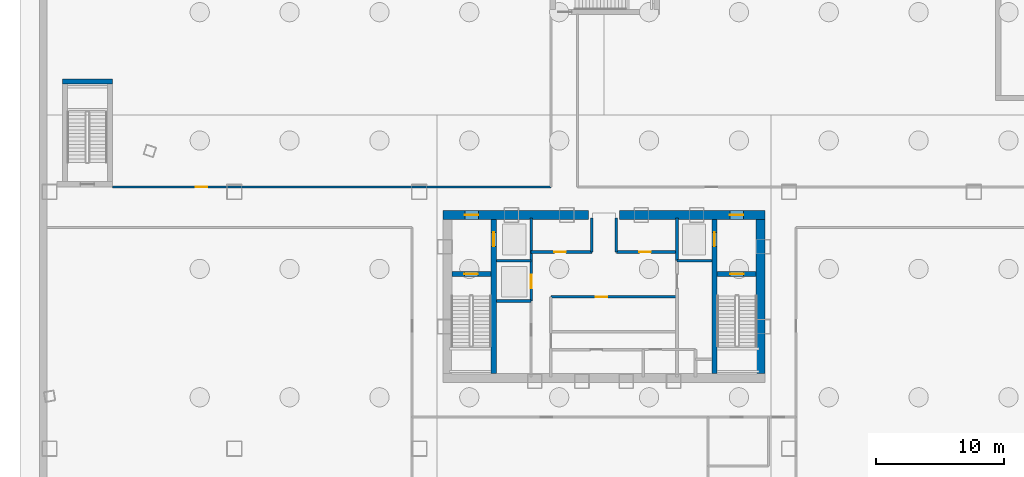
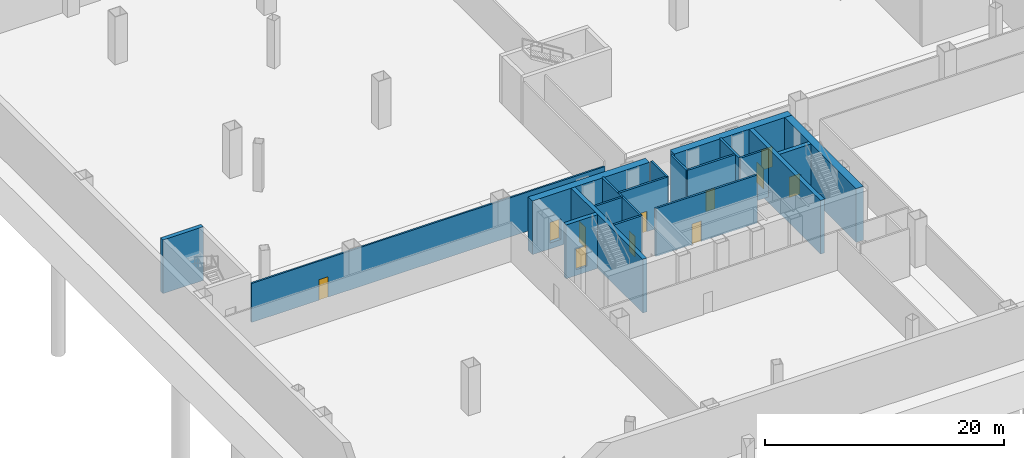
# One storey, part 9 of 15: 19 walls, 11 doors, 11 openings.
"""IFC4 building model written with IfcOpenShell, lengths in metres."""

from ifc_helpers import new_model, si_unit, direction, frame, frame_2d, origin, origin_with_axes, place, context, subcontext, project, spatial, rectangle, extrude, source, transform, mapped, material, layer, layer_set, type_object, element, fill, save


model = new_model("IFC4")

# Units and contexts
model_context = context("Model", 3, precision=1e-05, world=origin(), true_north=direction((0.0, 1.0)))
body_context = subcontext(model_context, "Body", "Model", "MODEL_VIEW")
ifc_project = project(units=[si_unit("LENGTHUNIT", "METRE"), si_unit("AREAUNIT", "SQUARE_METRE"), si_unit("VOLUMEUNIT", "CUBIC_METRE"), si_unit("PLANEANGLEUNIT", "RADIAN"), si_unit("MASSUNIT", "GRAM", prefix="KILO"), si_unit("THERMODYNAMICTEMPERATUREUNIT", "KELVIN"), si_unit("POWERUNIT", "WATT")], contexts=[model_context])

# Site, building, storey
site_placement = place(None, origin())
site = spatial("IfcSite", under=ifc_project, at=site_placement, CompositionType="ELEMENT")
building_placement = place(site_placement, origin())
building = spatial("IfcBuilding", under=site, at=building_placement, Name="Yunzhuo Pagoda Commons", CompositionType="ELEMENT")
storey_placement = place(building_placement, frame((0.0, 0.0, -10.0)))
storey = spatial("IfcBuildingStorey", under=building, at=storey_placement, Name="B02", CompositionType="ELEMENT", Elevation=-10.0)

# Wall, opening, door
ifc_material_1 = material(Name="Concrete C60", Category="concrete")
ifc_layer_1 = layer(ifc_material_1, 0.699951171875)
ifc_layer_set_1 = layer_set([ifc_layer_1], Name="Concrete C60")
wall_type_1 = type_object("IfcWallType", Name="W-C01 Lower Core Shear Wall 700", PredefinedType="SHEAR", material=ifc_layer_set_1)
wall_1_placement = place(storey_placement, frame((35.449951171875, 40.199951171875, -0.60009765625), z_axis=(0.0, 0.0, 1.0), x_axis=(1.0, 0.0, 0.0)))
wall_1 = element("IfcWall", 1, at=wall_1_placement, inside=storey, type_object=wall_type_1, Name="B02 core shear wall NW", PredefinedType="SHEAR", context=body_context, shape_type="SweptSolid", body=[
    extrude(rectangle(XDim=11.35009765625, YDim=0.699951171875, at=frame_2d((5.675048828125, 0.0))), origin(), (0.0, 0.0, 1.0), 5.5),
])
opening_1_placement = place(wall_1_placement, frame((1.699951171875, 0.0, 0.60009765625)))
opening_1 = element("IfcOpeningElement", 2, at=opening_1_placement, cuts=wall_1, Name="Opening D-02", PredefinedType="OPENING", context=body_context, shape_type="SweptSolid", body=[
    extrude(rectangle(XDim=1.050048828125, YDim=2.10009765625, at=frame_2d((0.52490234375, 1.050048828125))), frame((0.0, 0.35986328125, 0.0), z_axis=(0.0, -1.0, 0.0), x_axis=(1.0, 0.0, 0.0)), (0.0, 0.0, 1.0), 0.719970703125),
])
ifc_material_2 = material(Name="Galvanized fire-resisting metal leaf")
door_type_1 = type_object("IfcDoorType", Name="D-02 Firefighting Lobby & Refuge Fire Door 1050x2100", OperationType="NOTDEFINED", PredefinedType="DOOR", material=ifc_material_2)
shared_shape_1 = source(origin(), body_context, "Body", "SweptSolid", [
    extrude(rectangle(XDim=1.050048828125, YDim=2.10009765625, at=frame_2d((0.52490234375, 1.050048828125))), frame((0.0, 0.02490234375, 0.0), z_axis=(0.0, -1.0, 0.0), x_axis=(1.0, 0.0, 0.0)), (0.0, 0.0, 1.0), 0.050048828125),
])
door_1_placement = place(opening_1_placement, frame((1.050048828125, 0.0, 0.0), z_axis=(0.0, 0.0, 1.0), x_axis=(-1.0, 0.0, 0.0)))
door_1 = element("IfcDoor", 3, at=door_1_placement, inside=storey, type_object=door_type_1, Name="B02 Firefighting Lobby 1 fire door", OperationType="SINGLE_SWING_LEFT", OverallHeight=2.10009765625, OverallWidth=1.050048828125, PredefinedType="DOOR", context=body_context, shape_type="MappedRepresentation", body=[
    mapped(shared_shape_1, transform((0.0, 0.0, 0.0), scale=1.0)),
])
fill(opening_1, door_1)

wall_2_placement = place(storey_placement, frame((49.199951171875, 40.199951171875, -0.60009765625), z_axis=(0.0, 0.0, 1.0), x_axis=(1.0, 0.0, 0.0)))
wall_2 = element("IfcWall", 4, at=wall_2_placement, inside=storey, type_object=wall_type_1, Name="B02 core shear wall NE", PredefinedType="SHEAR", context=body_context, shape_type="SweptSolid", body=[
    extrude(rectangle(XDim=11.35009765625, YDim=0.699951171875, at=frame_2d((5.675048828125, 0.0))), origin(), (0.0, 0.0, 1.0), 5.5),
])
opening_2_placement = place(wall_2_placement, frame((8.60009765625, 0.0, 0.60009765625)))
opening_2 = element("IfcOpeningElement", 5, at=opening_2_placement, cuts=wall_2, Name="Opening D-02", PredefinedType="OPENING", context=body_context, shape_type="SweptSolid", body=[
    extrude(rectangle(XDim=1.050048828125, YDim=2.10009765625, at=frame_2d((0.52490234375, 1.050048828125))), frame((0.0, 0.35986328125, 0.0), z_axis=(0.0, -1.0, 0.0), x_axis=(1.0, 0.0, 0.0)), (0.0, 0.0, 1.0), 0.719970703125),
])
door_2_placement = place(opening_2_placement, frame((1.050048828125, 0.0, 0.0), z_axis=(0.0, 0.0, 1.0), x_axis=(-1.0, 0.0, 0.0)))
door_2 = element("IfcDoor", 6, at=door_2_placement, inside=storey, type_object=door_type_1, Name="B02 Firefighting Lobby 2 fire door", OperationType="SINGLE_SWING_RIGHT", OverallHeight=2.10009765625, OverallWidth=1.050048828125, PredefinedType="DOOR", context=body_context, shape_type="MappedRepresentation", body=[
    mapped(shared_shape_1, transform((0.0, 0.0, 0.0), scale=1.0)),
])
fill(opening_2, door_2)

# Wall
wall_3_placement = place(storey_placement, frame((60.199951171875, 27.85009765625, -0.60009765625), z_axis=(0.0, 0.0, 1.0), x_axis=(0.0, 1.0, 0.0)))
element("IfcWall", 7, at=wall_3_placement, inside=storey, type_object=wall_type_1, Name="B02 core shear wall E", PredefinedType="SHEAR", context=body_context, shape_type="SweptSolid", body=[
    extrude(rectangle(XDim=12.0, YDim=0.699951171875, at=frame_2d((6.0, 0.0))), origin(), (0.0, 0.0, 1.0), 5.5),
])

# Wall, opening, door
ifc_material_3 = material(Name="Gypsum plasterboard on acoustic stud")
ifc_layer_2 = layer(ifc_material_3, 0.159912109375)
ifc_layer_set_2 = layer_set([ifc_layer_2], Name="Gypsum plasterboard on acoustic stud")
wall_type_2 = type_object("IfcWallType", Name="W-COR1 Tower Rated Corridor Wall 160", PredefinedType="PARTITIONING", material=ifc_layer_set_2)
wall_4_placement = place(storey_placement, frame((9.699951171875, 42.3798828125, 0.0), z_axis=(0.0, 0.0, 1.0), x_axis=(1.0, 0.0, 0.0)))
wall_4 = element("IfcWall", 8, at=wall_4_placement, inside=storey, type_object=wall_type_2, Name="B02 interior wall IW-B02-CHILW", PredefinedType="PARTITIONING", context=body_context, shape_type="SweptSolid", body=[
    extrude(rectangle(XDim=34.179931640625, YDim=0.159912109375, at=frame_2d((17.08984375, 0.0))), origin(), (0.0, 0.0, 1.0), 4.0),
])
opening_3_placement = place(wall_4_placement, frame((6.5, 0.0, 0.0)))
opening_3 = element("IfcOpeningElement", 9, at=opening_3_placement, cuts=wall_4, Name="Opening D-03", PredefinedType="OPENING", context=body_context, shape_type="SweptSolid", body=[
    extrude(rectangle(XDim=0.89990234375, YDim=2.10009765625, at=frame_2d((0.449951171875, 1.050048828125))), frame((0.0, 0.08984375, 0.0), z_axis=(0.0, -1.0, 0.0), x_axis=(1.0, 0.0, 0.0)), (0.0, 0.0, 1.0), 0.179931640625),
])
door_type_2 = type_object("IfcDoorType", Name="D-03 Core Service Fire Door 900x2100", OperationType="NOTDEFINED", PredefinedType="DOOR", material=ifc_material_2)
shared_shape_2 = source(origin(), body_context, "Body", "SweptSolid", [
    extrude(rectangle(XDim=0.89990234375, YDim=2.10009765625, at=frame_2d((0.449951171875, 1.050048828125))), frame((0.0, 0.02490234375, 0.0), z_axis=(0.0, -1.0, 0.0), x_axis=(1.0, 0.0, 0.0)), (0.0, 0.0, 1.0), 0.050048828125),
])
door_3_placement = place(opening_3_placement, origin_with_axes())
door_3 = element("IfcDoor", 10, at=door_3_placement, inside=storey, type_object=door_type_2, Name="B02 Central Chiller Plant Room door", OperationType="SINGLE_SWING_LEFT", OverallHeight=2.10009765625, OverallWidth=0.89990234375, PredefinedType="DOOR", context=body_context, shape_type="MappedRepresentation", body=[
    mapped(shared_shape_2, transform((0.0, 0.0, 0.0), scale=1.0)),
])
fill(opening_3, door_3)

ifc_layer_3 = layer(ifc_material_1, 0.39990234375)
ifc_layer_set_3 = layer_set([ifc_layer_3], Name="Concrete C60")
wall_type_3 = type_object("IfcWallType", Name="W-S01 Internal Core Shear Web 400", PredefinedType="SHEAR", material=ifc_layer_set_3)
wall_5_placement = place(storey_placement, frame((39.39990234375, 27.85009765625, -0.60009765625), z_axis=(0.0, 0.0, 1.0), x_axis=(0.0, 1.0, 0.0)))
wall_5 = element("IfcWall", 11, at=wall_5_placement, inside=storey, type_object=wall_type_3, Name="B02 core shear wall WEBW", PredefinedType="SHEAR", context=body_context, shape_type="SweptSolid", body=[
    extrude(rectangle(XDim=12.0, YDim=0.39990234375, at=frame_2d((6.0, 0.0))), origin(), (0.0, 0.0, 1.0), 5.5),
])
opening_4_placement = place(wall_5_placement, frame((9.89990234375, 0.0, 0.60009765625)))
opening_4 = element("IfcOpeningElement", 12, at=opening_4_placement, cuts=wall_5, Name="Opening LD-01", PredefinedType="OPENING", context=body_context, shape_type="SweptSolid", body=[
    extrude(rectangle(XDim=1.10009765625, YDim=2.10009765625, at=frame_2d((0.550048828125, 1.050048828125))), frame((0.0, 0.2099609375, 0.0), z_axis=(0.0, -1.0, 0.0), x_axis=(1.0, 0.0, 0.0)), (0.0, 0.0, 1.0), 0.419921875),
])
door_type_3 = type_object("IfcDoorType", Name="LD-01 Firefighting Lift Landing Door 1100x2100", OperationType="DOUBLE_DOOR_SLIDING", PredefinedType="DOOR", material=ifc_material_2)
shared_shape_3 = source(origin(), body_context, "Body", "SweptSolid", [
    extrude(rectangle(XDim=1.10009765625, YDim=2.10009765625, at=frame_2d((0.550048828125, 1.050048828125))), frame((0.0, 0.02490234375, 0.0), z_axis=(0.0, -1.0, 0.0), x_axis=(1.0, 0.0, 0.0)), (0.0, 0.0, 1.0), 0.050048828125),
])
door_4_placement = place(opening_4_placement, frame((1.10009765625, 0.0, 0.0), z_axis=(0.0, 0.0, 1.0), x_axis=(-1.0, 0.0, 0.0)))
door_4 = element("IfcDoor", 13, at=door_4_placement, inside=storey, type_object=door_type_3, Name="B02 Firefighting lift FL-1 landing door", OperationType="DOUBLE_DOOR_SLIDING", OverallHeight=2.10009765625, OverallWidth=1.10009765625, PredefinedType="DOOR", context=body_context, shape_type="MappedRepresentation", body=[
    mapped(shared_shape_3, transform((0.0, 0.0, 0.0), scale=1.0)),
])
fill(opening_4, door_4)

wall_6_placement = place(storey_placement, frame((56.60009765625, 27.85009765625, -0.60009765625), z_axis=(0.0, 0.0, 1.0), x_axis=(0.0, 1.0, 0.0)))
wall_6 = element("IfcWall", 14, at=wall_6_placement, inside=storey, type_object=wall_type_3, Name="B02 core shear wall WEBE", PredefinedType="SHEAR", context=body_context, shape_type="SweptSolid", body=[
    extrude(rectangle(XDim=12.0, YDim=0.39990234375, at=frame_2d((6.0, 0.0))), origin(), (0.0, 0.0, 1.0), 5.5),
])
opening_5_placement = place(wall_6_placement, frame((9.89990234375, 0.0, 0.60009765625)))
opening_5 = element("IfcOpeningElement", 15, at=opening_5_placement, cuts=wall_6, Name="Opening LD-01", PredefinedType="OPENING", context=body_context, shape_type="SweptSolid", body=[
    extrude(rectangle(XDim=1.10009765625, YDim=2.10009765625, at=frame_2d((0.550048828125, 1.050048828125))), frame((0.0, 0.2099609375, 0.0), z_axis=(0.0, -1.0, 0.0), x_axis=(1.0, 0.0, 0.0)), (0.0, 0.0, 1.0), 0.419921875),
])
door_5_placement = place(opening_5_placement, origin_with_axes())
door_5 = element("IfcDoor", 16, at=door_5_placement, inside=storey, type_object=door_type_3, Name="B02 Firefighting lift FL-2 landing door", OperationType="DOUBLE_DOOR_SLIDING", OverallHeight=2.10009765625, OverallWidth=1.10009765625, PredefinedType="DOOR", context=body_context, shape_type="MappedRepresentation", body=[
    mapped(shared_shape_3, transform((0.0, 0.0, 0.0), scale=1.0)),
])
fill(opening_5, door_5)

wall_7_placement = place(storey_placement, frame((36.14990234375, 35.60009765625, -0.60009765625), z_axis=(0.0, 0.0, 1.0), x_axis=(1.0, 0.0, 0.0)))
wall_7 = element("IfcWall", 17, at=wall_7_placement, inside=storey, type_object=wall_type_3, Name="B02 core shear wall STW", PredefinedType="SHEAR", context=body_context, shape_type="SweptSolid", body=[
    extrude(rectangle(XDim=3.050048828125, YDim=0.39990234375, at=frame_2d((1.52490234375, 0.0))), origin(), (0.0, 0.0, 1.0), 5.5),
])
opening_6_placement = place(wall_7_placement, frame((0.969970703125, 0.0, 0.60009765625)))
opening_6 = element("IfcOpeningElement", 18, at=opening_6_placement, cuts=wall_7, Name="Opening D-01", PredefinedType="OPENING", context=body_context, shape_type="SweptSolid", body=[
    extrude(rectangle(XDim=1.050048828125, YDim=2.10009765625, at=frame_2d((0.52490234375, 1.050048828125))), frame((0.0, 0.2099609375, 0.0), z_axis=(0.0, -1.0, 0.0), x_axis=(1.0, 0.0, 0.0)), (0.0, 0.0, 1.0), 0.419921875),
])
door_type_4 = type_object("IfcDoorType", Name="D-01 Smokeproof Stair Fire Door 1050x2100", OperationType="NOTDEFINED", PredefinedType="DOOR", material=ifc_material_2)
door_6_placement = place(opening_6_placement, frame((1.050048828125, 0.0, 0.0), z_axis=(0.0, 0.0, 1.0), x_axis=(-1.0, 0.0, 0.0)))
door_6 = element("IfcDoor", 19, at=door_6_placement, inside=storey, type_object=door_type_4, Name="B02 Stair ST1 fire door", OperationType="SINGLE_SWING_LEFT", OverallHeight=2.10009765625, OverallWidth=1.050048828125, PredefinedType="DOOR", context=body_context, shape_type="MappedRepresentation", body=[
    mapped(shared_shape_1, transform((0.0, 0.0, 0.0), scale=1.0)),
])
fill(opening_6, door_6)

wall_8_placement = place(storey_placement, frame((56.800048828125, 35.60009765625, -0.60009765625), z_axis=(0.0, 0.0, 1.0), x_axis=(1.0, 0.0, 0.0)))
wall_8 = element("IfcWall", 20, at=wall_8_placement, inside=storey, type_object=wall_type_3, Name="B02 core shear wall STE", PredefinedType="SHEAR", context=body_context, shape_type="SweptSolid", body=[
    extrude(rectangle(XDim=3.050048828125, YDim=0.39990234375, at=frame_2d((1.52490234375, 0.0))), origin(), (0.0, 0.0, 1.0), 5.5),
])
opening_7_placement = place(wall_8_placement, frame((1.02001953125, 0.0, 0.60009765625)))
opening_7 = element("IfcOpeningElement", 21, at=opening_7_placement, cuts=wall_8, Name="Opening D-01", PredefinedType="OPENING", context=body_context, shape_type="SweptSolid", body=[
    extrude(rectangle(XDim=1.050048828125, YDim=2.10009765625, at=frame_2d((0.52490234375, 1.050048828125))), frame((0.0, 0.2099609375, 0.0), z_axis=(0.0, -1.0, 0.0), x_axis=(1.0, 0.0, 0.0)), (0.0, 0.0, 1.0), 0.419921875),
])
door_7_placement = place(opening_7_placement, frame((1.050048828125, 0.0, 0.0), z_axis=(0.0, 0.0, 1.0), x_axis=(-1.0, 0.0, 0.0)))
door_7 = element("IfcDoor", 22, at=door_7_placement, inside=storey, type_object=door_type_4, Name="B02 Stair ST2 fire door", OperationType="SINGLE_SWING_RIGHT", OverallHeight=2.10009765625, OverallWidth=1.050048828125, PredefinedType="DOOR", context=body_context, shape_type="MappedRepresentation", body=[
    mapped(shared_shape_1, transform((0.0, 0.0, 0.0), scale=1.0)),
])
fill(opening_7, door_7)

# Wall
wall_9_placement = place(storey_placement, frame((5.800048828125, 50.60009765625, -0.60009765625), z_axis=(0.0, 0.0, 1.0), x_axis=(1.0, 0.0, 0.0)))
element("IfcWall", 23, at=wall_9_placement, inside=storey, type_object=wall_type_3, Name="B02 PS3 structural stair wall N", PredefinedType="SHEAR", context=body_context, shape_type="SweptSolid", body=[
    extrude(rectangle(XDim=3.89990234375, YDim=0.39990234375, at=frame_2d((1.949951171875, 0.0))), origin(), (0.0, 0.0, 1.0), 5.5),
])

# Wall, opening, door
ifc_material_4 = material(Name="Concrete C40", Category="concrete")
ifc_layer_4 = layer(ifc_material_4, 0.199951171875)
ifc_layer_set_4 = layer_set([ifc_layer_4], Name="Concrete C40")
wall_type_4 = type_object("IfcWallType", Name="W-SHF Shaft & Stair Enclosure Wall 200", PredefinedType="SOLIDWALL", material=ifc_layer_set_4)
wall_10_placement = place(storey_placement, frame((42.320068359375, 33.5, 0.0), z_axis=(0.0, 0.0, 1.0), x_axis=(0.0, 1.0, 0.0)))
wall_10 = element("IfcWall", 24, at=wall_10_placement, inside=storey, type_object=wall_type_4, Name="B02 interior wall IW-B02-FL1E", PredefinedType="SOLIDWALL", context=body_context, shape_type="SweptSolid", body=[
    extrude(rectangle(XDim=6.449951171875, YDim=0.199951171875, at=frame_2d((3.22509765625, 0.0))), origin(), (0.0, 0.0, 1.0), 4.89990234375),
])
opening_8_placement = place(wall_10_placement, frame((1.0, 0.0, 0.0)))
opening_8 = element("IfcOpeningElement", 25, at=opening_8_placement, cuts=wall_10, Name="Opening LD-02", PredefinedType="OPENING", context=body_context, shape_type="SweptSolid", body=[
    extrude(rectangle(XDim=1.050048828125, YDim=2.10009765625, at=frame_2d((0.52490234375, 1.050048828125))), frame((0.0, 0.10986328125, 0.0), z_axis=(0.0, -1.0, 0.0), x_axis=(1.0, 0.0, 0.0)), (0.0, 0.0, 1.0), 0.219970703125),
])
door_type_5 = type_object("IfcDoorType", Name="LD-02 Passenger Lift Landing Door 1050x2100", OperationType="DOUBLE_DOOR_SLIDING", PredefinedType="DOOR", material=ifc_material_2)
door_8_placement = place(opening_8_placement, origin_with_axes())
door_8 = element("IfcDoor", 26, at=door_8_placement, inside=storey, type_object=door_type_5, Name="B02 Service lift SL-1 landing door", OperationType="DOUBLE_DOOR_SLIDING", OverallHeight=2.10009765625, OverallWidth=1.050048828125, PredefinedType="DOOR", context=body_context, shape_type="MappedRepresentation", body=[
    mapped(shared_shape_1, transform((0.0, 0.0, 0.0), scale=1.0)),
])
fill(opening_8, door_8)

# Walls
for number, where, z_axis, x_axis, name in (
    (27, (39.60009765625, 36.64990234375, 0.0), (0.0, 0.0, 1.0), (1.0, 0.0, 0.0), "B02 interior wall IW-B02-FL1S"),
    (28, (39.60009765625, 33.5, 0.0), (0.0, 0.0, 1.0), (1.0, 0.0, 0.0), "B02 interior wall IW-B02-SL1S"),
):
    element("IfcWall", number, at=place(storey_placement, frame(where, z_axis=z_axis, x_axis=x_axis)), inside=storey, type_object=wall_type_4, Name=name, PredefinedType="SOLIDWALL", context=body_context, shape_type="SweptSolid", body=[
        extrude(rectangle(XDim=2.719970703125, YDim=0.199951171875, at=frame_2d((1.35986328125, 0.0))), origin(), (0.0, 0.0, 1.0), 4.89990234375),
    ])
wall_11_placement = place(storey_placement, frame((53.679931640625, 36.64990234375, 0.0), z_axis=(0.0, 0.0, 1.0), x_axis=(0.0, 1.0, 0.0)))
element("IfcWall", 29, at=wall_11_placement, inside=storey, type_object=wall_type_4, Name="B02 interior wall IW-B02-FL2W", PredefinedType="SOLIDWALL", context=body_context, shape_type="SweptSolid", body=[
    extrude(rectangle(XDim=3.300048828125, YDim=0.199951171875, at=frame_2d((1.64990234375, 0.0))), origin(), (0.0, 0.0, 1.0), 4.89990234375),
])
wall_12_placement = place(storey_placement, frame((53.679931640625, 36.64990234375, 0.0), z_axis=(0.0, 0.0, 1.0), x_axis=(1.0, 0.0, 0.0)))
element("IfcWall", 30, at=wall_12_placement, inside=storey, type_object=wall_type_4, Name="B02 interior wall IW-B02-FL2S", PredefinedType="SOLIDWALL", context=body_context, shape_type="SweptSolid", body=[
    extrude(rectangle(XDim=2.719970703125, YDim=0.199951171875, at=frame_2d((1.35986328125, 0.0))), origin(), (0.0, 0.0, 1.0), 4.89990234375),
])

# Wall, opening, door
wall_13_placement = place(storey_placement, frame((42.320068359375, 37.320068359375, 0.0), z_axis=(0.0, 0.0, 1.0), x_axis=(1.0, 0.0, 0.0)))
wall_13 = element("IfcWall", 31, at=wall_13_placement, inside=storey, type_object=wall_type_4, Name="B02 interior wall IW-B02-LBNW", PredefinedType="SOLIDWALL", context=body_context, shape_type="SweptSolid", body=[
    extrude(rectangle(XDim=4.72998046875, YDim=0.199951171875, at=frame_2d((2.364990234375, 0.0))), origin(), (0.0, 0.0, 1.0), 4.89990234375),
])
opening_9_placement = place(wall_13_placement, frame((1.800048828125, 0.0, 0.0)))
opening_9 = element("IfcOpeningElement", 32, at=opening_9_placement, cuts=wall_13, Name="Opening D-03", PredefinedType="OPENING", context=body_context, shape_type="SweptSolid", body=[
    extrude(rectangle(XDim=0.89990234375, YDim=2.10009765625, at=frame_2d((0.449951171875, 1.050048828125))), frame((0.0, 0.10986328125, 0.0), z_axis=(0.0, -1.0, 0.0), x_axis=(1.0, 0.0, 0.0)), (0.0, 0.0, 1.0), 0.219970703125),
])
door_9_placement = place(opening_9_placement, frame((0.89990234375, 0.0, 0.0), z_axis=(0.0, 0.0, 1.0), x_axis=(-1.0, 0.0, 0.0)))
door_9 = element("IfcDoor", 33, at=door_9_placement, inside=storey, type_object=door_type_2, Name="B02 core electrical closet door", OperationType="SINGLE_SWING_LEFT", OverallHeight=2.10009765625, OverallWidth=0.89990234375, PredefinedType="DOOR", context=body_context, shape_type="MappedRepresentation", body=[
    mapped(shared_shape_2, transform((0.0, 0.0, 0.0), scale=1.0)),
])
fill(opening_9, door_9)

wall_14_placement = place(storey_placement, frame((48.949951171875, 37.320068359375, 0.0), z_axis=(0.0, 0.0, 1.0), x_axis=(1.0, 0.0, 0.0)))
wall_14 = element("IfcWall", 34, at=wall_14_placement, inside=storey, type_object=wall_type_4, Name="B02 interior wall IW-B02-LBNE", PredefinedType="SOLIDWALL", context=body_context, shape_type="SweptSolid", body=[
    extrude(rectangle(XDim=4.72998046875, YDim=0.199951171875, at=frame_2d((2.364990234375, 0.0))), origin(), (0.0, 0.0, 1.0), 4.89990234375),
])
opening_10_placement = place(wall_14_placement, frame((1.800048828125, 0.0, 0.0)))
opening_10 = element("IfcOpeningElement", 35, at=opening_10_placement, cuts=wall_14, Name="Opening D-03", PredefinedType="OPENING", context=body_context, shape_type="SweptSolid", body=[
    extrude(rectangle(XDim=0.89990234375, YDim=2.10009765625, at=frame_2d((0.449951171875, 1.050048828125))), frame((0.0, 0.10986328125, 0.0), z_axis=(0.0, -1.0, 0.0), x_axis=(1.0, 0.0, 0.0)), (0.0, 0.0, 1.0), 0.219970703125),
])
door_10_placement = place(opening_10_placement, frame((0.89990234375, 0.0, 0.0), z_axis=(0.0, 0.0, 1.0), x_axis=(-1.0, 0.0, 0.0)))
door_10 = element("IfcDoor", 36, at=door_10_placement, inside=storey, type_object=door_type_2, Name="B02 core valve store door", OperationType="SINGLE_SWING_RIGHT", OverallHeight=2.10009765625, OverallWidth=0.89990234375, PredefinedType="DOOR", context=body_context, shape_type="MappedRepresentation", body=[
    mapped(shared_shape_2, transform((0.0, 0.0, 0.0), scale=1.0)),
])
fill(opening_10, door_10)

# Walls
for number, where, z_axis, x_axis, name in (
    (37, (47.050048828125, 37.320068359375, 0.0), (0.0, 0.0, 1.0), (0.0, 1.0, 0.0), "B02 interior wall IW-B02-THRW"),
    (38, (48.949951171875, 37.320068359375, 0.0), (0.0, 0.0, 1.0), (0.0, 1.0, 0.0), "B02 interior wall IW-B02-THRE"),
):
    element("IfcWall", number, at=place(storey_placement, frame(where, z_axis=z_axis, x_axis=x_axis)), inside=storey, type_object=wall_type_4, Name=name, PredefinedType="SOLIDWALL", context=body_context, shape_type="SweptSolid", body=[
        extrude(rectangle(XDim=2.6298828125, YDim=0.199951171875, at=frame_2d((1.31494140625, 0.0))), origin(), (0.0, 0.0, 1.0), 4.89990234375),
    ])

# Wall, opening, door
wall_15_placement = place(storey_placement, frame((43.85009765625, 33.820068359375, 0.0), z_axis=(0.0, 0.0, 1.0), x_axis=(1.0, 0.0, 0.0)))
wall_15 = element("IfcWall", 39, at=wall_15_placement, inside=storey, type_object=wall_type_4, Name="B02 interior wall IW-B02-MLBS", PredefinedType="SOLIDWALL", context=body_context, shape_type="SweptSolid", body=[
    extrude(rectangle(XDim=9.829833984375, YDim=0.199951171875, at=frame_2d((4.9150390625, 0.0))), origin(), (0.0, 0.0, 1.0), 4.89990234375),
])
opening_11_placement = place(wall_15_placement, frame((3.5, 0.0, 0.0)))
opening_11 = element("IfcOpeningElement", 40, at=opening_11_placement, cuts=wall_15, Name="Opening D-03", PredefinedType="OPENING", context=body_context, shape_type="SweptSolid", body=[
    extrude(rectangle(XDim=0.89990234375, YDim=2.10009765625, at=frame_2d((0.449951171875, 1.050048828125))), frame((0.0, 0.10986328125, 0.0), z_axis=(0.0, -1.0, 0.0), x_axis=(1.0, 0.0, 0.0)), (0.0, 0.0, 1.0), 0.219970703125),
])
door_11_placement = place(opening_11_placement, origin_with_axes())
door_11 = element("IfcDoor", 41, at=door_11_placement, inside=storey, type_object=door_type_2, Name="B02 comms closet door", OperationType="SINGLE_SWING_LEFT", OverallHeight=2.10009765625, OverallWidth=0.89990234375, PredefinedType="DOOR", context=body_context, shape_type="MappedRepresentation", body=[
    mapped(shared_shape_2, transform((0.0, 0.0, 0.0), scale=1.0)),
])
fill(opening_11, door_11)

save(model, "model.ifc")
